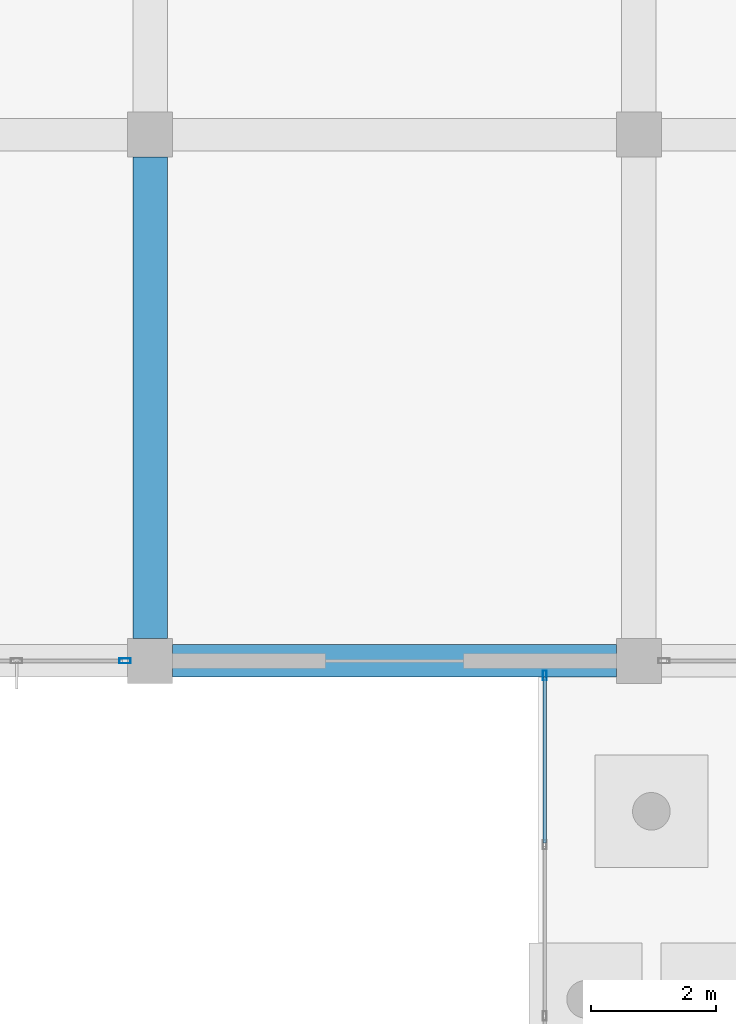
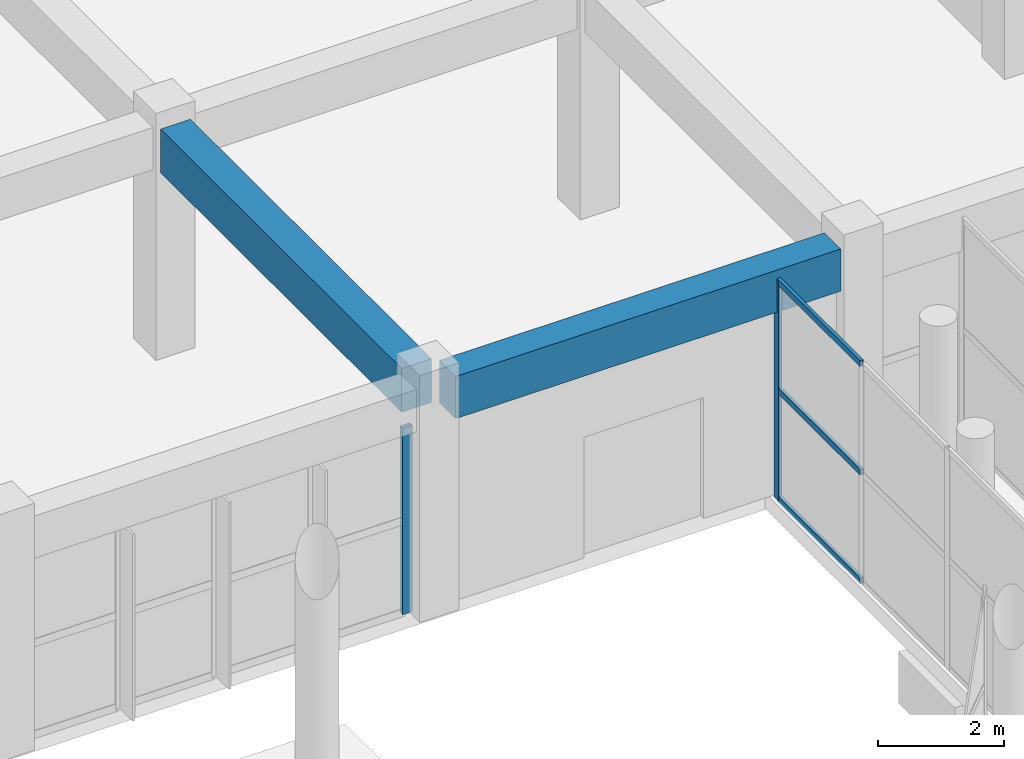
# One storey, part 62 of 139: 5 members, 2 beams, 2 elements without a shape of their own.
"""IFC4 building model written with IfcOpenShell, lengths in metres."""

from ifc_helpers import new_model, si_unit, direction, frame, origin, origin_2d, place, context, subcontext, project, spatial, rectangle, hollow_rectangle, extrude, material, layer, layer_set, material_profile, profile_set, type_object, element, aggregate, save


model = new_model("IFC4")

# Units and contexts
model_context = context("Model", 3, precision=1e-05, world=origin(), true_north=direction((0.0, 1.0)))
body_context = subcontext(model_context, "Body", "Model", "MODEL_VIEW")
ifc_project = project(units=[si_unit("LENGTHUNIT", "METRE"), si_unit("AREAUNIT", "SQUARE_METRE"), si_unit("VOLUMEUNIT", "CUBIC_METRE"), si_unit("PLANEANGLEUNIT", "RADIAN"), si_unit("MASSUNIT", "GRAM", prefix="KILO")], contexts=[model_context])

# Site, building, storey
site_placement = place(None, origin())
site = spatial("IfcSite", under=ifc_project, at=site_placement, CompositionType="ELEMENT")
building_placement = place(site_placement, origin())
building = spatial("IfcBuilding", under=site, at=building_placement, Name="Zizhar Promenade General Hospital", CompositionType="ELEMENT")
storey_placement = place(building_placement, origin())
storey = spatial("IfcBuildingStorey", under=building, at=storey_placement, Name="L00", CompositionType="ELEMENT", Elevation=0.0)

# Beams
ifc_material_1 = material(Name="Concrete C35/45", Category="concrete")
ifc_material_profile_1 = material_profile(ifc_material_1, rectangle(XDim=0.52001953125, YDim=0.820068359375, at=origin_2d()))
ifc_profile_set_1 = profile_set([ifc_material_profile_1], Name="Concrete C35/45")
beam_type_1 = type_object("IfcBeamType", Name="BM-RC-520x820", PredefinedType="BEAM", material=ifc_profile_set_1)
beam_1_placement = place(storey_placement, frame((156.360107421875, 42.0, 4.06005859375), z_axis=(1.0, 0.0, 0.0), x_axis=(0.0, 1.0, 0.0)))
element("IfcBeam", 1, at=beam_1_placement, inside=storey, type_object=beam_type_1, Name="Grid Beam X L00 (20-5)", PredefinedType="BEAM", context=body_context, shape_type="SweptSolid", body=[
    extrude(rectangle(XDim=0.52001953125, YDim=0.820068359375, at=origin_2d()), origin(), (0.0, 0.0, 1.0), 7.079833984375),
])
ifc_material_2 = material(Name="Concrete C35/45", Category="concrete")
ifc_material_profile_2 = material_profile(ifc_material_2, rectangle(XDim=0.550048828125, YDim=0.85009765625, at=origin_2d()))
ifc_profile_set_2 = profile_set([ifc_material_profile_2], Name="Concrete C35/45")
beam_type_2 = type_object("IfcBeamType", Name="BM-RC-550x850", PredefinedType="BEAM", material=ifc_profile_set_2)
beam_2_placement = place(storey_placement, frame((156.0, 42.360107421875, 4.044921875), z_axis=(0.0, 1.0, 0.0), x_axis=(-1.0, 0.0, 0.0)))
element("IfcBeam", 2, at=beam_2_placement, inside=storey, type_object=beam_type_2, Name="Grid Beam Y L00 (20-5)", PredefinedType="BEAM", context=body_context, shape_type="SweptSolid", body=[
    extrude(rectangle(XDim=0.550048828125, YDim=0.85009765625, at=origin_2d()), origin(), (0.0, 0.0, 1.0), 7.679931640625),
])

# Curtain wall, member
ifc_material_3 = material(Name="Anodised aluminium 6063-T6 and low-E glass", Category="aluminium")
ifc_layer_1 = layer(ifc_material_3, 0.159912109375)
ifc_layer_set_1 = layer_set([ifc_layer_1], Name="Anodised aluminium 6063-T6 and low-E glass")
curtain_wall_type_1 = type_object("IfcCurtainWallType", Name="CW-PAV-GLZ", PredefinedType="NOTDEFINED", material=ifc_layer_set_1)
curtain_wall_1_placement = place(storey_placement, origin())
curtain_wall_1 = element("IfcCurtainWall", 3, at=curtain_wall_1_placement, inside=storey, type_object=curtain_wall_type_1, Name="Pharmacy Collection Pavilion Link West Glazing", PredefinedType="NOTDEFINED")
ifc_material_4 = material(Name="Anodised aluminium 6063-T6", Category="aluminium")
ifc_material_profile_3 = material_profile(ifc_material_4, hollow_rectangle(XDim=0.06005859375, YDim=0.14990234375, WallThickness=0.00390625, at=origin_2d()))
ifc_profile_set_3 = profile_set([ifc_material_profile_3], Name="Anodised aluminium 6063-T6")
member_type_1 = type_object("IfcMemberType", Name="CWM-ALU-150x60", PredefinedType="MULLION", material=ifc_profile_set_3)
member_1_placement = place(storey_placement, frame((162.300048828125, 41.77001953125, 0.0), z_axis=(0.0, 0.0, 1.0), x_axis=(-1.0, 0.0, 0.0)))
member_1 = element("IfcMember", 4, at=member_1_placement, type_object=member_type_1, Name="CW-14 mullion 4", PredefinedType="MULLION", context=body_context, shape_type="SweptSolid", body=[
    extrude(hollow_rectangle(XDim=0.06005859375, YDim=0.14990234375, WallThickness=0.00390625, at=origin_2d()), origin(), (0.0, 0.0, 1.0), 4.280029296875),
])

ifc_material_5 = material(Name="Anodised aluminium 6063-T6 and low-E glass", Category="aluminium")
ifc_layer_2 = layer(ifc_material_5, 0.159912109375)
ifc_layer_set_2 = layer_set([ifc_layer_2], Name="Anodised aluminium 6063-T6 and low-E glass")
curtain_wall_type_2 = type_object("IfcCurtainWallType", Name="CW-CLN-EXT", PredefinedType="NOTDEFINED", material=ifc_layer_set_2)
curtain_wall_2_placement = place(storey_placement, origin())
curtain_wall_2 = element("IfcCurtainWall", 5, at=curtain_wall_2_placement, inside=storey, type_object=curtain_wall_type_2, Name="Outpatient Forecourt Curtain Wall L00-19", PredefinedType="NOTDEFINED")
ifc_material_6 = material(Name="Anodised aluminium 6063-T6", Category="aluminium")
ifc_material_profile_4 = material_profile(ifc_material_6, hollow_rectangle(XDim=0.080078125, YDim=0.179931640625, WallThickness=0.0048828125, at=origin_2d()))
ifc_profile_set_4 = profile_set([ifc_material_profile_4], Name="Anodised aluminium 6063-T6")
member_type_2 = type_object("IfcMemberType", Name="CWM-ALU-180x80", PredefinedType="MULLION", material=ifc_profile_set_4)
member_2_placement = place(storey_placement, frame((155.60009765625, 42.0, 0.0), z_axis=(0.0, 0.0, 1.0), x_axis=(0.0, -1.0, 0.0)))
member_2 = element("IfcMember", 6, at=member_2_placement, type_object=member_type_2, Name="CW-09 mullion 1", PredefinedType="MULLION", context=body_context, shape_type="SweptSolid", body=[
    extrude(hollow_rectangle(XDim=0.080078125, YDim=0.179931640625, WallThickness=0.0048828125, at=origin_2d()), origin(), (0.0, 0.0, 1.0), 3.6298828125),
])
aggregate(curtain_wall_2, [member_2])

# Member
ifc_material_7 = material(Name="Anodised aluminium 6063-T6", Category="aluminium")
ifc_material_profile_5 = material_profile(ifc_material_7, hollow_rectangle(XDim=0.06005859375, YDim=0.1201171875, WallThickness=0.00390625, at=origin_2d()))
ifc_profile_set_5 = profile_set([ifc_material_profile_5], Name="Anodised aluminium 6063-T6")
member_type_3 = type_object("IfcMemberType", Name="CWT-ALU-120x60", PredefinedType="USERDEFINED", material=ifc_profile_set_5)
member_3_placement = place(storey_placement, frame((162.300048828125, 39.0966796875, 0.030029296875), z_axis=(0.0, 1.0, 0.0), x_axis=(-1.0, 0.0, 0.0)))
member_3 = element("IfcMember", 7, at=member_3_placement, type_object=member_type_3, Name="CW-14 transom 3.1", ObjectType="TRANSOM", PredefinedType="USERDEFINED", context=body_context, shape_type="SweptSolid", body=[
    extrude(hollow_rectangle(XDim=0.06005859375, YDim=0.1201171875, WallThickness=0.00390625, at=origin_2d()), origin(), (0.0, 0.0, 1.0), 2.643310546875),
])

member_4_placement = place(storey_placement, frame((162.300048828125, 39.0966796875, 2.139892578125), z_axis=(0.0, 1.0, 0.0), x_axis=(-1.0, 0.0, 0.0)))
member_4 = element("IfcMember", 8, at=member_4_placement, type_object=member_type_3, Name="CW-14 transom 3.2", ObjectType="TRANSOM", PredefinedType="USERDEFINED", context=body_context, shape_type="SweptSolid", body=[
    extrude(hollow_rectangle(XDim=0.06005859375, YDim=0.1201171875, WallThickness=0.00390625, at=origin_2d()), origin(), (0.0, 0.0, 1.0), 2.643310546875),
])

member_5_placement = place(storey_placement, frame((162.300048828125, 39.0966796875, 4.25), z_axis=(0.0, 1.0, 0.0), x_axis=(-1.0, 0.0, 0.0)))
member_5 = element("IfcMember", 9, at=member_5_placement, type_object=member_type_3, Name="CW-14 transom 3.3", ObjectType="TRANSOM", PredefinedType="USERDEFINED", context=body_context, shape_type="SweptSolid", body=[
    extrude(hollow_rectangle(XDim=0.06005859375, YDim=0.1201171875, WallThickness=0.00390625, at=origin_2d()), origin(), (0.0, 0.0, 1.0), 2.643310546875),
])

aggregate(curtain_wall_1, [member_1, member_3, member_4, member_5])

save(model, "model.ifc")
